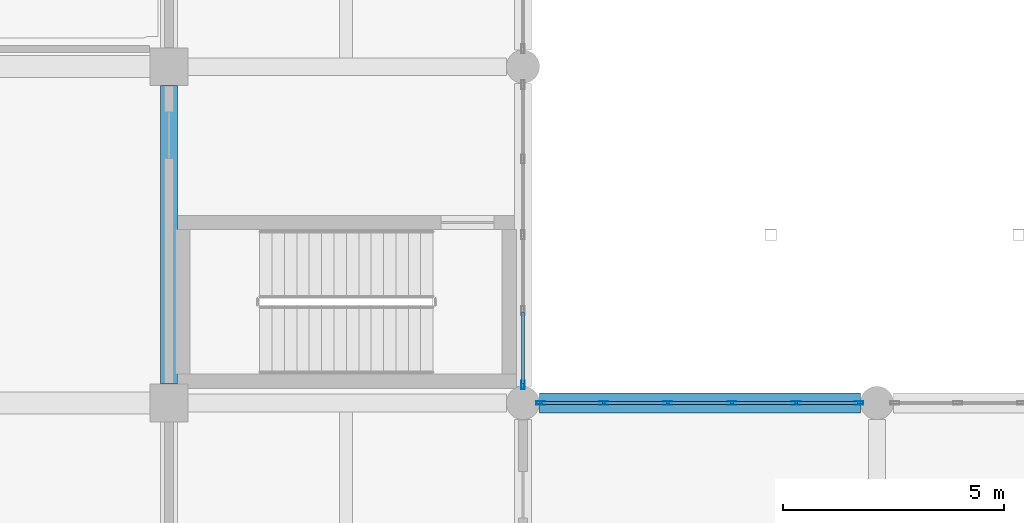
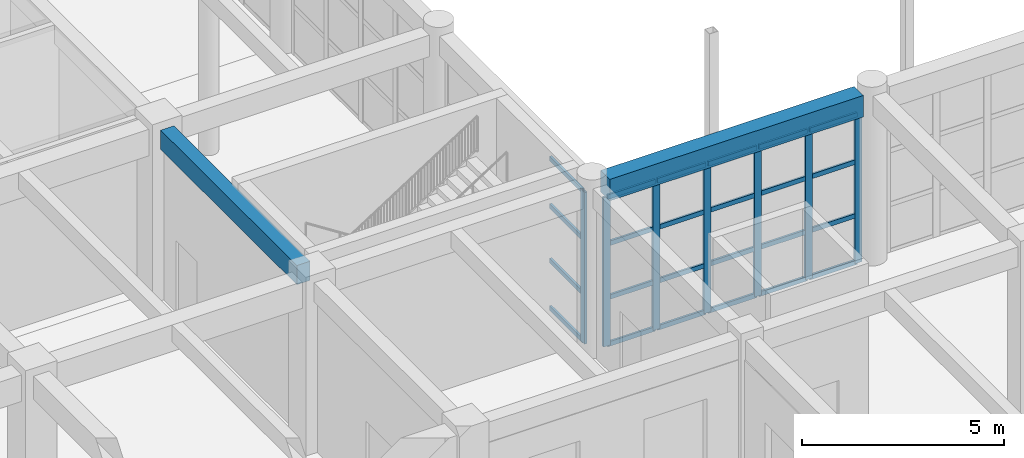
# One storey, part 33 of 95: 31 members, 2 beams, 2 elements without a shape of their own.
"""IFC4 building model written with IfcOpenShell, lengths in metres."""

from ifc_helpers import new_model, si_unit, direction, frame, origin, origin_2d, place, context, subcontext, project, spatial, rectangle, hollow_rectangle, extrude, material, material_profile, profile_set, type_object, element, aggregate, save


model = new_model("IFC4")

# Units and contexts
model_context = context("Model", 3, precision=1e-05, world=origin(), true_north=direction((0.0, 1.0)))
body_context = subcontext(model_context, "Body", "Model", "MODEL_VIEW")
ifc_project = project(units=[si_unit("LENGTHUNIT", "METRE"), si_unit("AREAUNIT", "SQUARE_METRE"), si_unit("VOLUMEUNIT", "CUBIC_METRE"), si_unit("PLANEANGLEUNIT", "RADIAN"), si_unit("MASSUNIT", "GRAM", prefix="KILO")], contexts=[model_context])

# Site, building, storey
site_placement = place(None, origin())
site = spatial("IfcSite", under=ifc_project, at=site_placement, CompositionType="ELEMENT")
building_placement = place(site_placement, origin())
building = spatial("IfcBuilding", under=site, at=building_placement, Name="Zantavel Square City Hall", CompositionType="ELEMENT")
storey_placement = place(building_placement, origin())
storey = spatial("IfcBuildingStorey", under=building, at=storey_placement, Name="L01", CompositionType="ELEMENT", Elevation=0.0)

# Beam
ifc_material_1 = material(Name="Concrete C35/45", Category="concrete")
ifc_material_profile_1 = material_profile(ifc_material_1, rectangle(XDim=0.3798828125, YDim=0.580078125, at=origin_2d()), Name="RC 380x580")
ifc_profile_set_1 = profile_set([ifc_material_profile_1], Name="Concrete C35/45")
beam_type_1 = type_object("IfcBeamType", Name="Annex Secondary Beam RC 380x580 C35/45", PredefinedType="BEAM", material=ifc_profile_set_1)
beam_1_placement = place(storey_placement, frame((112.0, 38.425048828125, 4.8701171875), z_axis=(0.0, 1.0, 0.0), x_axis=(-1.0, 0.0, 0.0)))
element("IfcBeam", 1, at=beam_1_placement, inside=storey, type_object=beam_type_1, Name="L01 Beam BMY-L01-1120-0380", PredefinedType="BEAM", context=body_context, shape_type="SweptSolid", body=[
    extrude(rectangle(XDim=0.3798828125, YDim=0.580078125, at=origin_2d()), origin(), (0.0, 0.0, 1.0), 6.75),
])

# Curtain wall, member
ifc_material_2 = material(Name="Anodised aluminium 6063-T6", Category="aluminium")
curtain_wall_type_1 = type_object("IfcCurtainWallType", Name="Curtain Wall CRT 6850x4580", PredefinedType="USERDEFINED", material=ifc_material_2)
curtain_wall_1_placement = place(storey_placement, origin())
curtain_wall_1 = element("IfcCurtainWall", 2, at=curtain_wall_1_placement, inside=storey, type_object=curtain_wall_type_1, Name="L01 Glazed Curtain Wall CW-L01-026", ObjectType="GLAZED CURTAIN WALL", PredefinedType="USERDEFINED")
ifc_material_profile_2 = material_profile(ifc_material_2, hollow_rectangle(XDim=0.070068359375, YDim=0.199951171875, WallThickness=0.00439453125, at=origin_2d()), Name="ALU 70x200x4.5")
ifc_profile_set_2 = profile_set([ifc_material_profile_2], Name="Anodised aluminium 6063-T6")
member_type_1 = type_object("IfcMemberType", Name="CW Heavy Hall Mullion ALU 70x200x4.5", PredefinedType="MULLION", material=ifc_profile_set_2)
member_1_placement = place(storey_placement, frame((120.0, 38.405029296875, 0.0), z_axis=(0.0, 0.0, 1.0), x_axis=(1.0, 0.0, 0.0)))
member_1 = element("IfcMember", 3, at=member_1_placement, type_object=member_type_1, Name="CW-026 mullion 5", PredefinedType="MULLION", context=body_context, shape_type="SweptSolid", body=[
    extrude(hollow_rectangle(XDim=0.070068359375, YDim=0.199951171875, WallThickness=0.00439453125, at=origin_2d()), origin(), (0.0, 0.0, 1.0), 4.580078125),
])

# Curtain wall, members
curtain_wall_type_2 = type_object("IfcCurtainWallType", Name="Curtain Wall CRT 7250x4510", PredefinedType="USERDEFINED", material=ifc_material_2)
curtain_wall_2_placement = place(storey_placement, origin())
curtain_wall_2 = element("IfcCurtainWall", 4, at=curtain_wall_2_placement, inside=storey, type_object=curtain_wall_type_2, Name="L01 Glazed Curtain Wall CW-L01-027", ObjectType="GLAZED CURTAIN WALL", PredefinedType="USERDEFINED")
member_2_placement = place(storey_placement, frame((120.405029296875, 38.0, 0.0), z_axis=(0.0, 0.0, 1.0), x_axis=(0.0, 1.0, 0.0)))
member_2 = element("IfcMember", 5, at=member_2_placement, type_object=member_type_1, Name="CW-027 mullion 1", PredefinedType="MULLION", context=body_context, shape_type="SweptSolid", body=[
    extrude(hollow_rectangle(XDim=0.070068359375, YDim=0.199951171875, WallThickness=0.00439453125, at=origin_2d()), origin(), (0.0, 0.0, 1.0), 4.510009765625),
])
member_3_placement = place(storey_placement, frame((121.824951171875, 38.0, 0.0), z_axis=(0.0, 0.0, 1.0), x_axis=(0.0, 1.0, 0.0)))
member_3 = element("IfcMember", 6, at=member_3_placement, type_object=member_type_1, Name="CW-027 mullion 2", PredefinedType="MULLION", context=body_context, shape_type="SweptSolid", body=[
    extrude(hollow_rectangle(XDim=0.070068359375, YDim=0.199951171875, WallThickness=0.00439453125, at=origin_2d()), origin(), (0.0, 0.0, 1.0), 4.510009765625),
])
member_4_placement = place(storey_placement, frame((123.27490234375, 38.0, 0.0), z_axis=(0.0, 0.0, 1.0), x_axis=(0.0, 1.0, 0.0)))
member_4 = element("IfcMember", 7, at=member_4_placement, type_object=member_type_1, Name="CW-027 mullion 3", PredefinedType="MULLION", context=body_context, shape_type="SweptSolid", body=[
    extrude(hollow_rectangle(XDim=0.070068359375, YDim=0.199951171875, WallThickness=0.00439453125, at=origin_2d()), origin(), (0.0, 0.0, 1.0), 4.510009765625),
])
member_5_placement = place(storey_placement, frame((124.72509765625, 38.0, 0.0), z_axis=(0.0, 0.0, 1.0), x_axis=(0.0, 1.0, 0.0)))
member_5 = element("IfcMember", 8, at=member_5_placement, type_object=member_type_1, Name="CW-027 mullion 4", PredefinedType="MULLION", context=body_context, shape_type="SweptSolid", body=[
    extrude(hollow_rectangle(XDim=0.070068359375, YDim=0.199951171875, WallThickness=0.00439453125, at=origin_2d()), origin(), (0.0, 0.0, 1.0), 4.510009765625),
])
member_6_placement = place(storey_placement, frame((126.175048828125, 38.0, 0.0), z_axis=(0.0, 0.0, 1.0), x_axis=(0.0, 1.0, 0.0)))
member_6 = element("IfcMember", 9, at=member_6_placement, type_object=member_type_1, Name="CW-027 mullion 5", PredefinedType="MULLION", context=body_context, shape_type="SweptSolid", body=[
    extrude(hollow_rectangle(XDim=0.070068359375, YDim=0.199951171875, WallThickness=0.00439453125, at=origin_2d()), origin(), (0.0, 0.0, 1.0), 4.510009765625),
])
member_7_placement = place(storey_placement, frame((127.594970703125, 38.0, 0.0), z_axis=(0.0, 0.0, 1.0), x_axis=(0.0, 1.0, 0.0)))
member_7 = element("IfcMember", 10, at=member_7_placement, type_object=member_type_1, Name="CW-027 mullion 6", PredefinedType="MULLION", context=body_context, shape_type="SweptSolid", body=[
    extrude(hollow_rectangle(XDim=0.070068359375, YDim=0.199951171875, WallThickness=0.00439453125, at=origin_2d()), origin(), (0.0, 0.0, 1.0), 4.510009765625),
])

# Member
ifc_material_profile_3 = material_profile(ifc_material_2, hollow_rectangle(XDim=0.06005859375, YDim=0.139892578125, WallThickness=0.00390625, at=origin_2d()), Name="ALU 60x140x4")
ifc_profile_set_3 = profile_set([ifc_material_profile_3], Name="Anodised aluminium 6063-T6")
member_type_2 = type_object("IfcMemberType", Name="CW Transom ALU 60x140x4", PredefinedType="USERDEFINED", material=ifc_profile_set_3)
member_8_placement = place(storey_placement, frame((120.0, 40.0576171875, 0.030029296875), z_axis=(0.0, -1.0, 0.0), x_axis=(1.0, 0.0, 0.0)))
member_8 = element("IfcMember", 11, at=member_8_placement, type_object=member_type_2, Name="CW-026 transom 4.1", ObjectType="TRANSOM", PredefinedType="USERDEFINED", context=body_context, shape_type="SweptSolid", body=[
    extrude(hollow_rectangle(XDim=0.06005859375, YDim=0.139892578125, WallThickness=0.00390625, at=origin_2d()), origin(), (0.0, 0.0, 1.0), 1.62255859375),
])

member_9_placement = place(storey_placement, frame((120.0, 40.0576171875, 1.466064453125), z_axis=(0.0, -1.0, 0.0), x_axis=(1.0, 0.0, 0.0)))
member_9 = element("IfcMember", 12, at=member_9_placement, type_object=member_type_2, Name="CW-026 transom 4.2", ObjectType="TRANSOM", PredefinedType="USERDEFINED", context=body_context, shape_type="SweptSolid", body=[
    extrude(hollow_rectangle(XDim=0.06005859375, YDim=0.139892578125, WallThickness=0.00390625, at=origin_2d()), origin(), (0.0, 0.0, 1.0), 1.62255859375),
])

member_10_placement = place(storey_placement, frame((120.0, 40.0576171875, 3.114013671875), z_axis=(0.0, -1.0, 0.0), x_axis=(1.0, 0.0, 0.0)))
member_10 = element("IfcMember", 13, at=member_10_placement, type_object=member_type_2, Name="CW-026 transom 4.3", ObjectType="TRANSOM", PredefinedType="USERDEFINED", context=body_context, shape_type="SweptSolid", body=[
    extrude(hollow_rectangle(XDim=0.06005859375, YDim=0.139892578125, WallThickness=0.00390625, at=origin_2d()), origin(), (0.0, 0.0, 1.0), 1.62255859375),
])

member_11_placement = place(storey_placement, frame((120.0, 40.0576171875, 4.550048828125), z_axis=(0.0, -1.0, 0.0), x_axis=(1.0, 0.0, 0.0)))
member_11 = element("IfcMember", 14, at=member_11_placement, type_object=member_type_2, Name="CW-026 transom 4.4", ObjectType="TRANSOM", PredefinedType="USERDEFINED", context=body_context, shape_type="SweptSolid", body=[
    extrude(hollow_rectangle(XDim=0.06005859375, YDim=0.139892578125, WallThickness=0.00390625, at=origin_2d()), origin(), (0.0, 0.0, 1.0), 1.62255859375),
])

aggregate(curtain_wall_1, [member_1, member_8, member_9, member_10, member_11])

member_12_placement = place(storey_placement, frame((120.43505859375, 38.0, 0.030029296875), z_axis=(1.0, 0.0, 0.0), x_axis=(0.0, 1.0, 0.0)))
member_12 = element("IfcMember", 15, at=member_12_placement, type_object=member_type_2, Name="CW-027 transom 1.1", ObjectType="TRANSOM", PredefinedType="USERDEFINED", context=body_context, shape_type="SweptSolid", body=[
    extrude(hollow_rectangle(XDim=0.06005859375, YDim=0.139892578125, WallThickness=0.00390625, at=origin_2d()), origin(), (0.0, 0.0, 1.0), 1.35986328125),
])

member_13_placement = place(storey_placement, frame((120.43505859375, 38.0, 1.443115234375), z_axis=(1.0, 0.0, 0.0), x_axis=(0.0, 1.0, 0.0)))
member_13 = element("IfcMember", 16, at=member_13_placement, type_object=member_type_2, Name="CW-027 transom 1.2", ObjectType="TRANSOM", PredefinedType="USERDEFINED", context=body_context, shape_type="SweptSolid", body=[
    extrude(hollow_rectangle(XDim=0.06005859375, YDim=0.139892578125, WallThickness=0.00390625, at=origin_2d()), origin(), (0.0, 0.0, 1.0), 1.35986328125),
])

member_14_placement = place(storey_placement, frame((120.43505859375, 38.0, 3.06689453125), z_axis=(1.0, 0.0, 0.0), x_axis=(0.0, 1.0, 0.0)))
member_14 = element("IfcMember", 17, at=member_14_placement, type_object=member_type_2, Name="CW-027 transom 1.3", ObjectType="TRANSOM", PredefinedType="USERDEFINED", context=body_context, shape_type="SweptSolid", body=[
    extrude(hollow_rectangle(XDim=0.06005859375, YDim=0.139892578125, WallThickness=0.00390625, at=origin_2d()), origin(), (0.0, 0.0, 1.0), 1.35986328125),
])

member_15_placement = place(storey_placement, frame((120.43505859375, 38.0, 4.47998046875), z_axis=(1.0, 0.0, 0.0), x_axis=(0.0, 1.0, 0.0)))
member_15 = element("IfcMember", 18, at=member_15_placement, type_object=member_type_2, Name="CW-027 transom 1.4", ObjectType="TRANSOM", PredefinedType="USERDEFINED", context=body_context, shape_type="SweptSolid", body=[
    extrude(hollow_rectangle(XDim=0.06005859375, YDim=0.139892578125, WallThickness=0.00390625, at=origin_2d()), origin(), (0.0, 0.0, 1.0), 1.35986328125),
])

member_16_placement = place(storey_placement, frame((121.85498046875, 38.0, 0.030029296875), z_axis=(1.0, 0.0, 0.0), x_axis=(0.0, 1.0, 0.0)))
member_16 = element("IfcMember", 19, at=member_16_placement, type_object=member_type_2, Name="CW-027 transom 2.1", ObjectType="TRANSOM", PredefinedType="USERDEFINED", context=body_context, shape_type="SweptSolid", body=[
    extrude(hollow_rectangle(XDim=0.06005859375, YDim=0.139892578125, WallThickness=0.00390625, at=origin_2d()), origin(), (0.0, 0.0, 1.0), 1.39013671875),
])

member_17_placement = place(storey_placement, frame((121.85498046875, 38.0, 1.443115234375), z_axis=(1.0, 0.0, 0.0), x_axis=(0.0, 1.0, 0.0)))
member_17 = element("IfcMember", 20, at=member_17_placement, type_object=member_type_2, Name="CW-027 transom 2.2", ObjectType="TRANSOM", PredefinedType="USERDEFINED", context=body_context, shape_type="SweptSolid", body=[
    extrude(hollow_rectangle(XDim=0.06005859375, YDim=0.139892578125, WallThickness=0.00390625, at=origin_2d()), origin(), (0.0, 0.0, 1.0), 1.39013671875),
])

member_18_placement = place(storey_placement, frame((121.85498046875, 38.0, 3.06689453125), z_axis=(1.0, 0.0, 0.0), x_axis=(0.0, 1.0, 0.0)))
member_18 = element("IfcMember", 21, at=member_18_placement, type_object=member_type_2, Name="CW-027 transom 2.3", ObjectType="TRANSOM", PredefinedType="USERDEFINED", context=body_context, shape_type="SweptSolid", body=[
    extrude(hollow_rectangle(XDim=0.06005859375, YDim=0.139892578125, WallThickness=0.00390625, at=origin_2d()), origin(), (0.0, 0.0, 1.0), 1.39013671875),
])

member_19_placement = place(storey_placement, frame((121.85498046875, 38.0, 4.47998046875), z_axis=(1.0, 0.0, 0.0), x_axis=(0.0, 1.0, 0.0)))
member_19 = element("IfcMember", 22, at=member_19_placement, type_object=member_type_2, Name="CW-027 transom 2.4", ObjectType="TRANSOM", PredefinedType="USERDEFINED", context=body_context, shape_type="SweptSolid", body=[
    extrude(hollow_rectangle(XDim=0.06005859375, YDim=0.139892578125, WallThickness=0.00390625, at=origin_2d()), origin(), (0.0, 0.0, 1.0), 1.39013671875),
])

member_20_placement = place(storey_placement, frame((123.304931640625, 38.0, 0.030029296875), z_axis=(1.0, 0.0, 0.0), x_axis=(0.0, 1.0, 0.0)))
member_20 = element("IfcMember", 23, at=member_20_placement, type_object=member_type_2, Name="CW-027 transom 3.1", ObjectType="TRANSOM", PredefinedType="USERDEFINED", context=body_context, shape_type="SweptSolid", body=[
    extrude(hollow_rectangle(XDim=0.06005859375, YDim=0.139892578125, WallThickness=0.00390625, at=origin_2d()), origin(), (0.0, 0.0, 1.0), 1.39013671875),
])

member_21_placement = place(storey_placement, frame((123.304931640625, 38.0, 1.443115234375), z_axis=(1.0, 0.0, 0.0), x_axis=(0.0, 1.0, 0.0)))
member_21 = element("IfcMember", 24, at=member_21_placement, type_object=member_type_2, Name="CW-027 transom 3.2", ObjectType="TRANSOM", PredefinedType="USERDEFINED", context=body_context, shape_type="SweptSolid", body=[
    extrude(hollow_rectangle(XDim=0.06005859375, YDim=0.139892578125, WallThickness=0.00390625, at=origin_2d()), origin(), (0.0, 0.0, 1.0), 1.39013671875),
])

member_22_placement = place(storey_placement, frame((123.304931640625, 38.0, 3.06689453125), z_axis=(1.0, 0.0, 0.0), x_axis=(0.0, 1.0, 0.0)))
member_22 = element("IfcMember", 25, at=member_22_placement, type_object=member_type_2, Name="CW-027 transom 3.3", ObjectType="TRANSOM", PredefinedType="USERDEFINED", context=body_context, shape_type="SweptSolid", body=[
    extrude(hollow_rectangle(XDim=0.06005859375, YDim=0.139892578125, WallThickness=0.00390625, at=origin_2d()), origin(), (0.0, 0.0, 1.0), 1.39013671875),
])

member_23_placement = place(storey_placement, frame((123.304931640625, 38.0, 4.47998046875), z_axis=(1.0, 0.0, 0.0), x_axis=(0.0, 1.0, 0.0)))
member_23 = element("IfcMember", 26, at=member_23_placement, type_object=member_type_2, Name="CW-027 transom 3.4", ObjectType="TRANSOM", PredefinedType="USERDEFINED", context=body_context, shape_type="SweptSolid", body=[
    extrude(hollow_rectangle(XDim=0.06005859375, YDim=0.139892578125, WallThickness=0.00390625, at=origin_2d()), origin(), (0.0, 0.0, 1.0), 1.39013671875),
])

member_24_placement = place(storey_placement, frame((124.7548828125, 38.0, 0.030029296875), z_axis=(1.0, 0.0, 0.0), x_axis=(0.0, 1.0, 0.0)))
member_24 = element("IfcMember", 27, at=member_24_placement, type_object=member_type_2, Name="CW-027 transom 4.1", ObjectType="TRANSOM", PredefinedType="USERDEFINED", context=body_context, shape_type="SweptSolid", body=[
    extrude(hollow_rectangle(XDim=0.06005859375, YDim=0.139892578125, WallThickness=0.00390625, at=origin_2d()), origin(), (0.0, 0.0, 1.0), 1.39013671875),
])

member_25_placement = place(storey_placement, frame((124.7548828125, 38.0, 1.443115234375), z_axis=(1.0, 0.0, 0.0), x_axis=(0.0, 1.0, 0.0)))
member_25 = element("IfcMember", 28, at=member_25_placement, type_object=member_type_2, Name="CW-027 transom 4.2", ObjectType="TRANSOM", PredefinedType="USERDEFINED", context=body_context, shape_type="SweptSolid", body=[
    extrude(hollow_rectangle(XDim=0.06005859375, YDim=0.139892578125, WallThickness=0.00390625, at=origin_2d()), origin(), (0.0, 0.0, 1.0), 1.39013671875),
])

member_26_placement = place(storey_placement, frame((124.7548828125, 38.0, 3.06689453125), z_axis=(1.0, 0.0, 0.0), x_axis=(0.0, 1.0, 0.0)))
member_26 = element("IfcMember", 29, at=member_26_placement, type_object=member_type_2, Name="CW-027 transom 4.3", ObjectType="TRANSOM", PredefinedType="USERDEFINED", context=body_context, shape_type="SweptSolid", body=[
    extrude(hollow_rectangle(XDim=0.06005859375, YDim=0.139892578125, WallThickness=0.00390625, at=origin_2d()), origin(), (0.0, 0.0, 1.0), 1.39013671875),
])

member_27_placement = place(storey_placement, frame((124.7548828125, 38.0, 4.47998046875), z_axis=(1.0, 0.0, 0.0), x_axis=(0.0, 1.0, 0.0)))
member_27 = element("IfcMember", 30, at=member_27_placement, type_object=member_type_2, Name="CW-027 transom 4.4", ObjectType="TRANSOM", PredefinedType="USERDEFINED", context=body_context, shape_type="SweptSolid", body=[
    extrude(hollow_rectangle(XDim=0.06005859375, YDim=0.139892578125, WallThickness=0.00390625, at=origin_2d()), origin(), (0.0, 0.0, 1.0), 1.39013671875),
])

member_28_placement = place(storey_placement, frame((126.205078125, 38.0, 0.030029296875), z_axis=(1.0, 0.0, 0.0), x_axis=(0.0, 1.0, 0.0)))
member_28 = element("IfcMember", 31, at=member_28_placement, type_object=member_type_2, Name="CW-027 transom 5.1", ObjectType="TRANSOM", PredefinedType="USERDEFINED", context=body_context, shape_type="SweptSolid", body=[
    extrude(hollow_rectangle(XDim=0.06005859375, YDim=0.139892578125, WallThickness=0.00390625, at=origin_2d()), origin(), (0.0, 0.0, 1.0), 1.35986328125),
])

member_29_placement = place(storey_placement, frame((126.205078125, 38.0, 1.443115234375), z_axis=(1.0, 0.0, 0.0), x_axis=(0.0, 1.0, 0.0)))
member_29 = element("IfcMember", 32, at=member_29_placement, type_object=member_type_2, Name="CW-027 transom 5.2", ObjectType="TRANSOM", PredefinedType="USERDEFINED", context=body_context, shape_type="SweptSolid", body=[
    extrude(hollow_rectangle(XDim=0.06005859375, YDim=0.139892578125, WallThickness=0.00390625, at=origin_2d()), origin(), (0.0, 0.0, 1.0), 1.35986328125),
])

member_30_placement = place(storey_placement, frame((126.205078125, 38.0, 3.06689453125), z_axis=(1.0, 0.0, 0.0), x_axis=(0.0, 1.0, 0.0)))
member_30 = element("IfcMember", 33, at=member_30_placement, type_object=member_type_2, Name="CW-027 transom 5.3", ObjectType="TRANSOM", PredefinedType="USERDEFINED", context=body_context, shape_type="SweptSolid", body=[
    extrude(hollow_rectangle(XDim=0.06005859375, YDim=0.139892578125, WallThickness=0.00390625, at=origin_2d()), origin(), (0.0, 0.0, 1.0), 1.35986328125),
])

member_31_placement = place(storey_placement, frame((126.205078125, 38.0, 4.47998046875), z_axis=(1.0, 0.0, 0.0), x_axis=(0.0, 1.0, 0.0)))
member_31 = element("IfcMember", 34, at=member_31_placement, type_object=member_type_2, Name="CW-027 transom 5.4", ObjectType="TRANSOM", PredefinedType="USERDEFINED", context=body_context, shape_type="SweptSolid", body=[
    extrude(hollow_rectangle(XDim=0.06005859375, YDim=0.139892578125, WallThickness=0.00390625, at=origin_2d()), origin(), (0.0, 0.0, 1.0), 1.35986328125),
])

aggregate(curtain_wall_2, [member_2, member_3, member_4, member_5, member_6, member_7, member_12, member_13, member_14, member_15, member_16, member_17, member_18, member_19, member_20, member_21, member_22, member_23, member_24, member_25, member_26, member_27, member_28, member_29, member_30, member_31])

# Beam
ifc_material_profile_4 = material_profile(ifc_material_1, rectangle(XDim=0.449951171875, YDim=0.64990234375, at=origin_2d()), Name="RC 450x650")
ifc_profile_set_4 = profile_set([ifc_material_profile_4], Name="Concrete C35/45")
beam_type_2 = type_object("IfcBeamType", Name="Courtyard Cloister Girder RC 450x650 C35/45", PredefinedType="BEAM", material=ifc_profile_set_4)
beam_2_placement = place(storey_placement, frame((120.375, 38.0, 4.8349609375), z_axis=(1.0, 0.0, 0.0), x_axis=(0.0, 1.0, 0.0)))
element("IfcBeam", 35, at=beam_2_placement, inside=storey, type_object=beam_type_2, Name="L01 Girder BMX-L01-1200-0380", PredefinedType="BEAM", context=body_context, shape_type="SweptSolid", body=[
    extrude(rectangle(XDim=0.449951171875, YDim=0.64990234375, at=origin_2d()), origin(), (0.0, 0.0, 1.0), 7.25),
])

save(model, "model.ifc")
